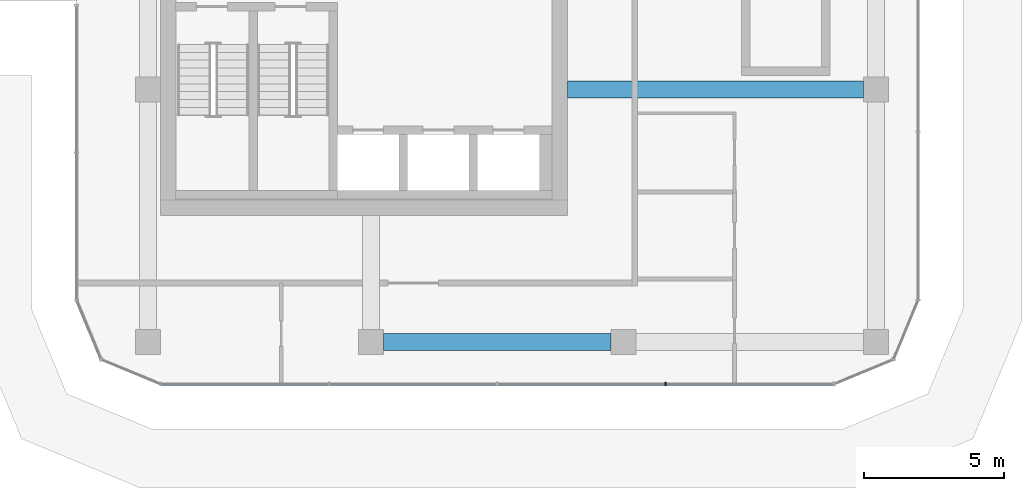
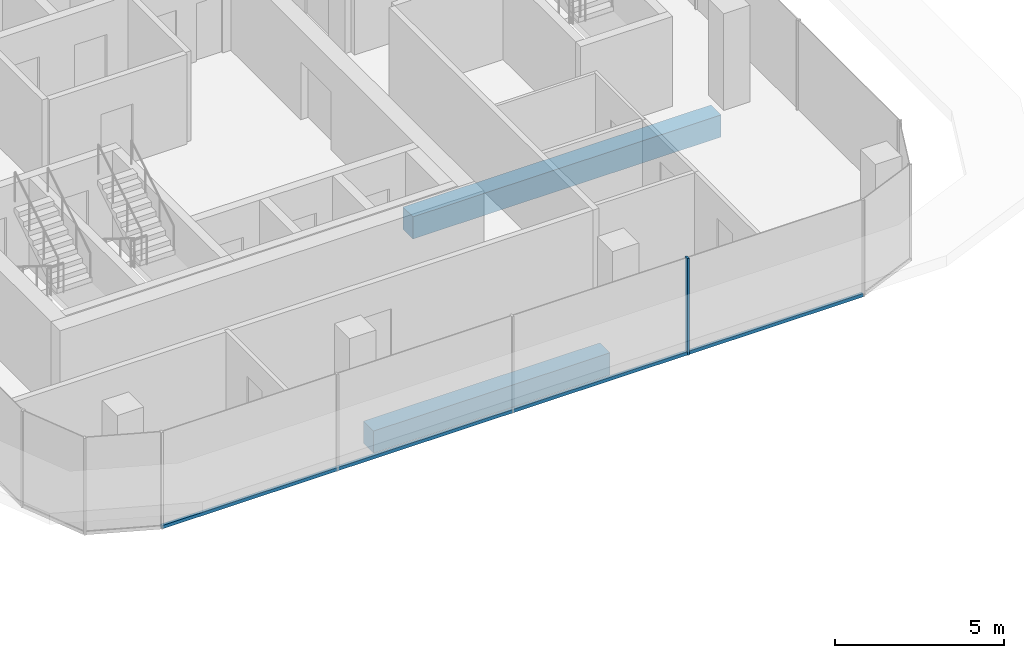
# One storey, part 8 of 24: 2 beams, 2 members, 1 element without a shape of its own.
"""IFC4 building model written with IfcOpenShell, lengths in metres."""

from ifc_helpers import new_model, si_unit, direction, frame, origin, origin_2d, place, context, subcontext, project, spatial, rectangle, extrude, material, layer, layer_set, material_profile, profile_set, type_object, element, aggregate, save


model = new_model("IFC4")

# Units and contexts
model_context = context("Model", 3, precision=1e-05, world=origin(), true_north=direction((0.0, 1.0)))
body_context = subcontext(model_context, "Body", "Model", "MODEL_VIEW")
ifc_project = project(units=[si_unit("LENGTHUNIT", "METRE"), si_unit("AREAUNIT", "SQUARE_METRE"), si_unit("VOLUMEUNIT", "CUBIC_METRE"), si_unit("PLANEANGLEUNIT", "RADIAN"), si_unit("MASSUNIT", "GRAM", prefix="KILO")], contexts=[model_context])

# Site, building, storey
site_placement = place(None, origin())
site = spatial("IfcSite", under=ifc_project, at=site_placement, CompositionType="ELEMENT")
building_placement = place(site_placement, origin())
building = spatial("IfcBuilding", under=site, at=building_placement, Name="Plateau Cross Towers", CompositionType="ELEMENT")
storey_placement = place(building_placement, frame((0.0, 0.0, 30.300048828125)))
storey = spatial("IfcBuildingStorey", under=building, at=storey_placement, Name="L06", CompositionType="ELEMENT", Elevation=30.300048828125)

# Beam
ifc_material_1 = material(Name="Concrete C60/75", Category="concrete")
ifc_material_profile_1 = material_profile(ifc_material_1, rectangle(XDim=0.60009765625, YDim=0.800048828125, at=origin_2d()), Name="RC 600x800")
ifc_profile_set_1 = profile_set([ifc_material_profile_1], Name="Concrete C60/75")
beam_type_1 = type_object("IfcBeamType", Name="Core beam RC 600x800", PredefinedType="BEAM", material=ifc_profile_set_1)
beam_1_placement = place(storey_placement, frame((89.5, 4.5, -0.650146484375), z_axis=(1.0, 0.0, 0.0), x_axis=(0.0, 1.0, 0.0)))
element("IfcBeam", 1, at=beam_1_placement, inside=storey, type_object=beam_type_1, Name="B-CB02@L06", PredefinedType="BEAM", context=body_context, shape_type="SweptSolid", body=[
    extrude(rectangle(XDim=0.60009765625, YDim=0.800048828125, at=origin_2d()), origin(), (0.0, 0.0, 1.0), 10.550048828125),
])

# Curtain wall, member
ifc_material_2 = material(Name="Dark low-iron glass", Category="glass")
ifc_layer = layer(ifc_material_2, 0.239990234375)
ifc_layer_set = layer_set([ifc_layer], Name="Dark low-iron glass")
curtain_wall_type = type_object("IfcCurtainWallType", Name="Curtain wall office unitised CW-F", PredefinedType="NOTDEFINED", material=ifc_layer_set)
curtain_wall_placement = place(storey_placement, origin())
curtain_wall = element("IfcCurtainWall", 2, at=curtain_wall_placement, inside=storey, type_object=curtain_wall_type, Name="ENV/B/L06/B750_-60", PredefinedType="NOTDEFINED")
ifc_material_3 = material(Name="Black anodised aluminium", Category="aluminium")
ifc_material_profile_2 = material_profile(ifc_material_3, rectangle(XDim=0.06005859375, YDim=0.139892578125, at=origin_2d()), Name="MULLION 60x140")
ifc_profile_set_2 = profile_set([ifc_material_profile_2], Name="Black anodised aluminium")
member_type_1 = type_object("IfcMemberType", Name="Mullion 60x140 office unitised", PredefinedType="MULLION", material=ifc_profile_set_2)
member_1_placement = place(storey_placement, frame((93.0, -6.0, -0.25), z_axis=(0.0, 0.0, 1.0), x_axis=(1.0, 0.0, 0.0)))
member_1 = element("IfcMember", 3, at=member_1_placement, type_object=member_type_1, Name="CW-F mullion 4", PredefinedType="MULLION", context=body_context, shape_type="SweptSolid", body=[
    extrude(rectangle(XDim=0.06005859375, YDim=0.139892578125, at=origin_2d()), origin(), (0.0, 0.0, 1.0), 3.5),
])

# Beam
ifc_material_profile_3 = material_profile(ifc_material_1, rectangle(XDim=0.60009765625, YDim=0.800048828125, at=origin_2d()), Name="RC 600x800")
ifc_profile_set_3 = profile_set([ifc_material_profile_3], Name="Concrete C60/75")
beam_type_2 = type_object("IfcBeamType", Name="Ring beam RC 600x800", PredefinedType="BEAM", material=ifc_profile_set_3)
beam_2_placement = place(storey_placement, frame((82.949951171875, -4.5, -0.650146484375), z_axis=(1.0, 0.0, 0.0), x_axis=(0.0, 1.0, 0.0)))
element("IfcBeam", 4, at=beam_2_placement, inside=storey, type_object=beam_type_2, Name="B-RB01@L06", PredefinedType="BEAM", context=body_context, shape_type="SweptSolid", body=[
    extrude(rectangle(XDim=0.60009765625, YDim=0.800048828125, at=origin_2d()), origin(), (0.0, 0.0, 1.0), 8.10009765625),
])

# Member
ifc_material_profile_4 = material_profile(ifc_material_3, rectangle(XDim=0.10009765625, YDim=0.1201171875, at=origin_2d()), Name="TRANSOM 100x120")
ifc_profile_set_4 = profile_set([ifc_material_profile_4], Name="Black anodised aluminium")
member_type_2 = type_object("IfcMemberType", Name="Transom 100x120 office unitised", PredefinedType="USERDEFINED", material=ifc_profile_set_4)
member_2_placement = place(storey_placement, frame((75.0, -6.0, -0.18994140625), z_axis=(1.0, 0.0, 0.0), x_axis=(0.0, 1.0, 0.0)))
member_2 = element("IfcMember", 5, at=member_2_placement, type_object=member_type_2, Name="CW-F transom", ObjectType="TRANSOM", PredefinedType="USERDEFINED", context=body_context, shape_type="SweptSolid", body=[
    extrude(rectangle(XDim=0.10009765625, YDim=0.1201171875, at=origin_2d()), origin(), (0.0, 0.0, 1.0), 24.0),
])

aggregate(curtain_wall, [member_1, member_2])

save(model, "model.ifc")
